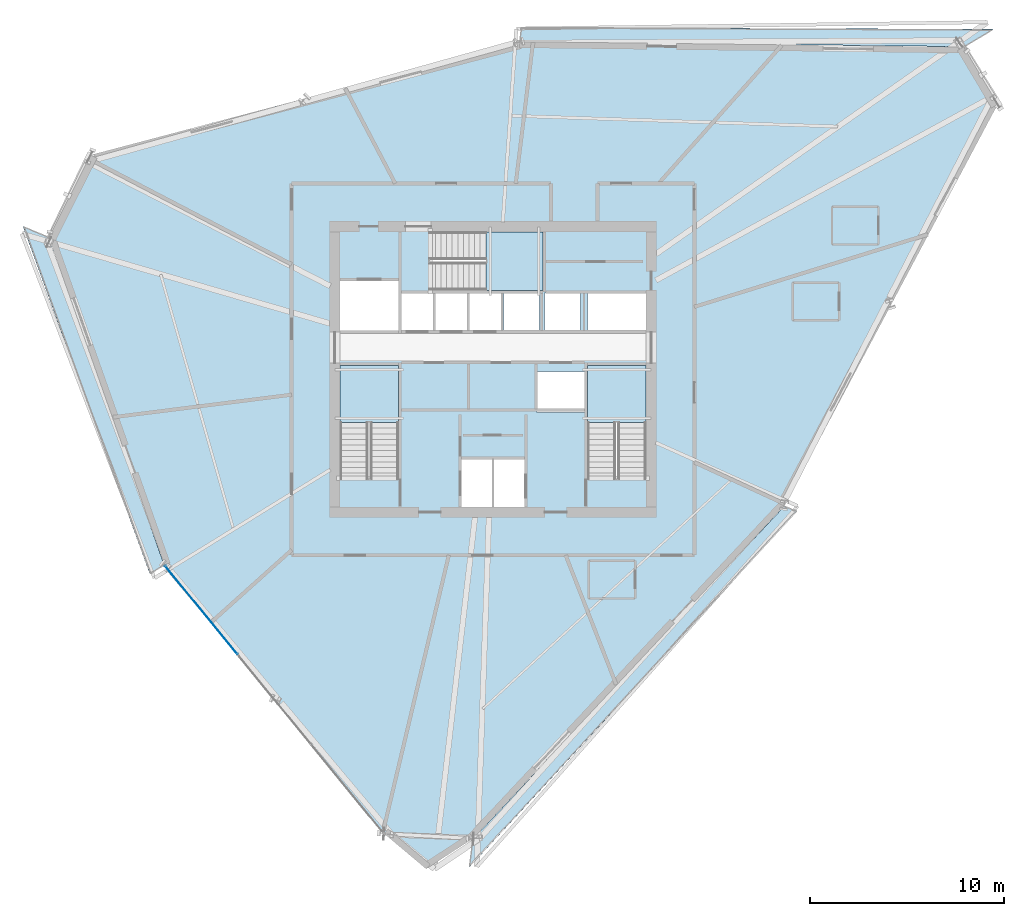
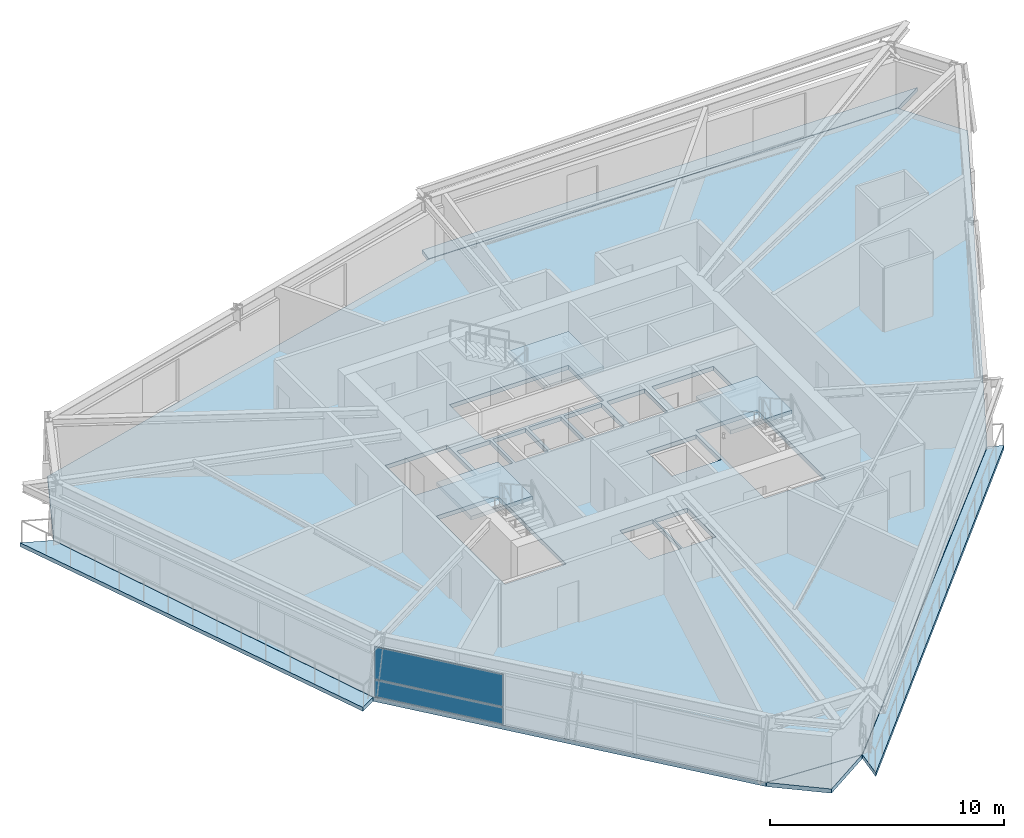
# One storey, part 6 of 15: 8 slabs, 2 plates, 4 elements without a shape of their own.
"""IFC4 building model written with IfcOpenShell, lengths in metres."""

from ifc_helpers import new_model, si_unit, direction, frame, origin, origin_2d, place, context, subcontext, project, spatial, polyline, rectangle, outline, extrude, source, transform, mapped, material, layer, layer_set, type_object, element, aggregate, save


model = new_model("IFC4")

# Units and contexts
model_context = context("Model", 3, precision=1e-05, world=origin(), true_north=direction((0.0, 1.0)))
body_context = subcontext(model_context, "Body", "Model", "MODEL_VIEW")
ifc_project = project(units=[si_unit("LENGTHUNIT", "METRE"), si_unit("AREAUNIT", "SQUARE_METRE"), si_unit("VOLUMEUNIT", "CUBIC_METRE"), si_unit("PLANEANGLEUNIT", "RADIAN"), si_unit("MASSUNIT", "GRAM", prefix="KILO")], contexts=[model_context])

# Site, building, storey
site_placement = place(None, origin())
site = spatial("IfcSite", under=ifc_project, at=site_placement, CompositionType="ELEMENT")
building_placement = place(site_placement, origin())
building = spatial("IfcBuilding", under=site, at=building_placement, Name="Olszyna Solenne Hotel", CompositionType="ELEMENT")
storey_placement = place(building_placement, frame((0.0, 0.0, 160.800048828125)))
storey = spatial("IfcBuildingStorey", under=building, at=storey_placement, Name="L42", CompositionType="ELEMENT", Elevation=160.800048828125)

# Stair, slab
ifc_material_1 = material(Name="Concrete C40/50", Category="concrete")
stair_type = type_object("IfcStairType", Name="STR-C1", PredefinedType="TWO_QUARTER_WINDING_STAIR", material=ifc_material_1)
stair_1_placement = place(storey_placement, origin())
stair_1 = element("IfcStair", 1, at=stair_1_placement, inside=storey, type_object=stair_type, Name="L42 ST1", PredefinedType="TWO_QUARTER_WINDING_STAIR")
ifc_layer_1 = layer(ifc_material_1, 0.18994140625, Name="Concrete C40/50")
ifc_layer_set_1 = layer_set([ifc_layer_1], Name="Concrete C40/50")
slab_type_1 = type_object("IfcSlabType", Name="SL-LN190", PredefinedType="LANDING", material=ifc_layer_set_1)
slab_1_placement = place(storey_placement, frame((0.0, 0.0, 1.574951171875)))
slab_1 = element("IfcSlab", 2, at=slab_1_placement, type_object=slab_type_1, Name="ST1 landing 1", PredefinedType="LANDING", context=body_context, shape_type="SweptSolid", body=[
    extrude(outline(polyline([(33.1201171875, 23.85009765625), (33.1201171875, 26.800048828125), (30.10009765625, 26.800048828125), (30.10009765625, 23.85009765625), (33.1201171875, 23.85009765625)])), origin(), (0.0, 0.0, 1.0), 0.199951171875),
])
aggregate(stair_1, [slab_1])

stair_2_placement = place(storey_placement, origin())
stair_2 = element("IfcStair", 3, at=stair_2_placement, inside=storey, type_object=stair_type, Name="L42 ST2", PredefinedType="TWO_QUARTER_WINDING_STAIR")
slab_2_placement = place(storey_placement, frame((0.0, 0.0, 1.574951171875)))
slab_2 = element("IfcSlab", 4, at=slab_2_placement, type_object=slab_type_1, Name="ST2 landing 1", PredefinedType="LANDING", context=body_context, shape_type="SweptSolid", body=[
    extrude(outline(polyline([(45.89990234375, 23.85009765625), (45.89990234375, 26.800048828125), (42.8798828125, 26.800048828125), (42.8798828125, 23.85009765625), (45.89990234375, 23.85009765625)])), origin(), (0.0, 0.0, 1.0), 0.199951171875),
])
aggregate(stair_2, [slab_2])

stair_3_placement = place(storey_placement, origin())
stair_3 = element("IfcStair", 5, at=stair_3_placement, inside=storey, type_object=stair_type, Name="L42 ST3", PredefinedType="TWO_QUARTER_WINDING_STAIR")
slab_3_placement = place(storey_placement, frame((0.0, 0.0, 1.574951171875)))
slab_3 = element("IfcSlab", 6, at=slab_3_placement, type_object=slab_type_1, Name="ST3 landing 1", PredefinedType="LANDING", context=body_context, shape_type="SweptSolid", body=[
    extrude(outline(polyline([(37.6298828125, 30.679931640625), (40.580078125, 30.679931640625), (40.580078125, 33.699951171875), (37.6298828125, 33.699951171875), (37.6298828125, 30.679931640625)])), origin(), (0.0, 0.0, 1.0), 0.199951171875),
])
aggregate(stair_3, [slab_3])

# Slabs
ifc_material_2 = material(Name="Precast concrete C45/55", Category="concrete")
ifc_layer_2 = layer(ifc_material_2, 0.199951171875, Name="Precast concrete C45/55")
ifc_layer_set_2 = layer_set([ifc_layer_2], Name="Precast concrete C45/55")
slab_type_2 = type_object("IfcSlabType", Name="SL-LOG200", PredefinedType="FLOOR", material=ifc_layer_set_2)
slab_4_placement = place(storey_placement, frame((0.0, 0.0, -0.199951171875)))
element("IfcSlab", 7, at=slab_4_placement, inside=storey, type_object=slab_type_2, Name="Exterior loggia balcony slab SL-L42-LG1", PredefinedType="FLOOR", context=body_context, shape_type="SweptSolid", body=[
    extrude(outline(polyline([(39.383544921875, 43.53369140625), (62.30322265625, 43.260986328125), (62.3046875, 43.260986328125), (62.30615234375, 43.2607421875), (62.3076171875, 43.26025390625), (62.30908203125, 43.259765625), (62.310546875, 43.259033203125), (62.311767578125, 43.25830078125), (62.31298828125, 43.257080078125), (62.314208984375, 43.256103515625), (62.31494140625, 43.2548828125), (62.31591796875, 43.253662109375), (63.829345703125, 44.163818359375), (39.475830078125, 44.25927734375), (39.383544921875, 43.53369140625)])), origin(), (0.0, 0.0, 1.0), 0.199951171875),
])
slab_5_placement = place(storey_placement, frame((0.0, 0.0, -0.199951171875)))
element("IfcSlab", 8, at=slab_5_placement, inside=storey, type_object=slab_type_2, Name="Exterior loggia balcony slab SL-L42-LG2", PredefinedType="FLOOR", context=body_context, shape_type="SweptSolid", body=[
    extrude(outline(polyline([(21.0205078125, 16.493896484375), (21.02001953125, 16.494140625), (21.01953125, 16.495361328125), (21.01904296875, 16.49658203125), (15.052001953125, 33.40185546875), (15.051513671875, 33.4033203125), (15.05126953125, 33.40478515625), (15.05126953125, 33.40625), (15.05126953125, 33.407958984375), (15.051513671875, 33.409423828125), (15.0517578125, 33.410888671875), (15.05224609375, 33.412353515625), (15.052490234375, 33.41259765625), (13.72802734375, 33.97021484375), (20.27001953125, 16.042724609375), (21.0205078125, 16.493896484375)])), origin(), (0.0, 0.0, 1.0), 0.199951171875),
])
slab_6_placement = place(storey_placement, frame((0.0, 0.0, -0.199951171875)))
element("IfcSlab", 9, at=slab_6_placement, inside=storey, type_object=slab_type_2, Name="Exterior loggia balcony slab SL-L42-LG3", PredefinedType="FLOOR", context=body_context, shape_type="SweptSolid", body=[
    extrude(outline(polyline([(53.041015625, 19.52978515625), (53.040283203125, 19.528564453125), (53.039794921875, 19.52734375), (53.0390625, 19.5263671875), (53.0380859375, 19.525390625), (36.98095703125, 2.3623046875), (36.9794921875, 2.36083984375), (36.97802734375, 2.35986328125), (36.96728515625, 2.352783203125), (36.78173828125, 0.89111328125), (53.6962890625, 19.253662109375), (53.041015625, 19.52978515625)])), origin(), (0.0, 0.0, 1.0), 0.199951171875),
])
ifc_material_3 = material(Name="Concrete C50/60", Category="concrete")
ifc_layer_3 = layer(ifc_material_3, 0.219970703125, Name="Concrete C50/60")
ifc_layer_set_3 = layer_set([ifc_layer_3], Name="Concrete C50/60")
slab_type_3 = type_object("IfcSlabType", Name="SL-TW225", PredefinedType="FLOOR", material=ifc_layer_set_3)
slab_7_placement = place(storey_placement, frame((0.0, 0.0, -0.219970703125)))
element("IfcSlab", 10, at=slab_7_placement, inside=storey, type_object=slab_type_3, Name="Floor slab SL-TW225 SL-L42-01", PredefinedType="FLOOR", context=body_context, shape_type="SweptSolid", body=[
    extrude(outline(polyline([(64.06396484375, 40.2861328125), (62.302978515625, 43.24609375), (39.381591796875, 43.518798828125), (17.218017578125, 37.66748046875), (15.066162109375, 33.406982421875), (21.033203125, 16.501708984375), (32.378662109375, 2.62109375), (36.969970703125, 2.372314453125), (53.027099609375, 19.535400390625), (64.06396484375, 40.2861328125)]), holes=[polyline([(30.10009765625, 20.949951171875), (33.1201171875, 20.949951171875), (33.1201171875, 26.800048828125), (30.10009765625, 26.800048828125), (30.10009765625, 20.949951171875)]), polyline([(42.8798828125, 20.949951171875), (45.89990234375, 20.949951171875), (45.89990234375, 26.800048828125), (42.8798828125, 26.800048828125), (42.8798828125, 20.949951171875)]), polyline([(34.72998046875, 30.679931640625), (40.580078125, 30.679931640625), (40.580078125, 33.699951171875), (34.72998046875, 33.699951171875), (34.72998046875, 30.679931640625)]), polyline([(36.340087890625, 19.5), (37.9599609375, 19.5), (37.9599609375, 21.9599609375), (36.340087890625, 21.9599609375), (36.340087890625, 19.5)]), polyline([(38.0400390625, 19.5), (39.659912109375, 19.5), (39.659912109375, 21.9599609375), (38.0400390625, 21.9599609375), (38.0400390625, 19.5)]), polyline([(30.10009765625, 28.60009765625), (33.1201171875, 28.60009765625), (33.1201171875, 31.159912109375), (30.10009765625, 31.159912109375), (30.10009765625, 28.60009765625)]), polyline([(40.280029296875, 24.360107421875), (42.719970703125, 24.360107421875), (42.719970703125, 26.5), (40.280029296875, 26.5), (40.280029296875, 24.360107421875)]), polyline([(33.280029296875, 28.60009765625), (34.89990234375, 28.60009765625), (34.89990234375, 30.550048828125), (33.280029296875, 30.550048828125), (33.280029296875, 28.60009765625)]), polyline([(35.030029296875, 28.60009765625), (36.64990234375, 28.60009765625), (36.64990234375, 30.550048828125), (35.030029296875, 30.550048828125), (35.030029296875, 28.60009765625)]), polyline([(36.780029296875, 28.60009765625), (38.39990234375, 28.60009765625), (38.39990234375, 30.550048828125), (36.780029296875, 30.550048828125), (36.780029296875, 28.60009765625)]), polyline([(38.530029296875, 28.60009765625), (40.389892578125, 28.60009765625), (40.389892578125, 30.550048828125), (38.530029296875, 30.550048828125), (38.530029296875, 28.60009765625)]), polyline([(40.659912109375, 28.60009765625), (42.52001953125, 28.60009765625), (42.52001953125, 30.550048828125), (40.659912109375, 30.550048828125), (40.659912109375, 28.60009765625)]), polyline([(42.8798828125, 28.60009765625), (45.89990234375, 28.60009765625), (45.89990234375, 30.550048828125), (42.8798828125, 30.550048828125), (42.8798828125, 28.60009765625)])]), origin(), (0.0, 0.0, 1.0), 0.219970703125),
])
slab_8_placement = place(storey_placement, frame((0.0, 0.0, -0.219970703125)))
element("IfcSlab", 11, at=slab_8_placement, inside=storey, type_object=slab_type_3, Name="Faceted glass-prism floor slab SL-L42-PR", PredefinedType="FLOOR", context=body_context, shape_type="SweptSolid", body=[
    extrude(outline(polyline([(36.955810546875, 2.36328125), (32.391357421875, 2.6103515625), (34.54736328125, 0.800048828125), (36.955810546875, 2.36328125)])), origin(), (0.0, 0.0, 1.0), 0.219970703125),
])

# Curtain wall, plates
ifc_material_4 = material(Name="Anodised bronze aluminium", Category="aluminium")
curtain_wall_type = type_object("IfcCurtainWallType", Name="CW-SYS-4", PredefinedType="NOTDEFINED", material=ifc_material_4)
curtain_wall_placement = place(storey_placement, origin())
curtain_wall = element("IfcCurtainWall", 12, at=curtain_wall_placement, inside=storey, type_object=curtain_wall_type, Name="Unitised curtain wall CW-SYS-4 CW-L42-01", PredefinedType="NOTDEFINED")
ifc_material_5 = material(Name="Terracotta cladding", Category="masonry")
plate_type_1 = type_object("IfcPlateType", Name="PN-SP1", PredefinedType="CURTAIN_PANEL", material=ifc_material_5)
shared_shape_1 = source(origin(), body_context, "Body", "SweptSolid", [
    extrude(rectangle(XDim=5.87841796875, YDim=0.035888671875, at=origin_2d()), origin(), (0.0, 0.0, 1.0), 0.8525390625),
])
plate_1_placement = place(storey_placement, frame((22.934326171875, 14.175537109375, 0.06494140625), z_axis=(0.0, 0.0, 1.0), x_axis=(0.632858323533, -0.774267616742, 0.0)))
plate_1 = element("IfcPlate", 13, at=plate_1_placement, type_object=plate_type_1, Name="Curtain-wall panel PN-SP1 CP-L42-01-01", PredefinedType="CURTAIN_PANEL", context=body_context, shape_type="MappedRepresentation", body=[
    mapped(shared_shape_1, transform((0.0, 0.0, 0.0), x_axis=(1.0, 0.0, 0.0), y_axis=(0.0, 1.0, 0.0), z_axis=(0.0, 0.0, 1.0), scale=1.0)),
])
ifc_material_6 = material(Name="Low-E triple glazing", Category="glass")
plate_type_2 = type_object("IfcPlateType", Name="PN-GL1", PredefinedType="CURTAIN_PANEL", material=ifc_material_6)
shared_shape_2 = source(origin(), body_context, "Body", "SweptSolid", [
    extrude(rectangle(XDim=5.87841796875, YDim=0.035888671875, at=origin_2d()), origin(), (0.0, 0.0, 1.0), 1.674560546875),
])
plate_2_placement = place(storey_placement, frame((22.934326171875, 14.175537109375, 0.982421875), z_axis=(0.0, 0.0, 1.0), x_axis=(0.632858323533, -0.774267616742, 0.0)))
plate_2 = element("IfcPlate", 14, at=plate_2_placement, type_object=plate_type_2, Name="Curtain-wall panel PN-GL1 CP-L42-01-02", PredefinedType="CURTAIN_PANEL", context=body_context, shape_type="MappedRepresentation", body=[
    mapped(shared_shape_2, transform((0.0, 0.0, 0.0), x_axis=(1.0, 0.0, 0.0), y_axis=(0.0, 1.0, 0.0), z_axis=(0.0, 0.0, 1.0), scale=1.0)),
])
aggregate(curtain_wall, [plate_1, plate_2])

save(model, "model.ifc")
